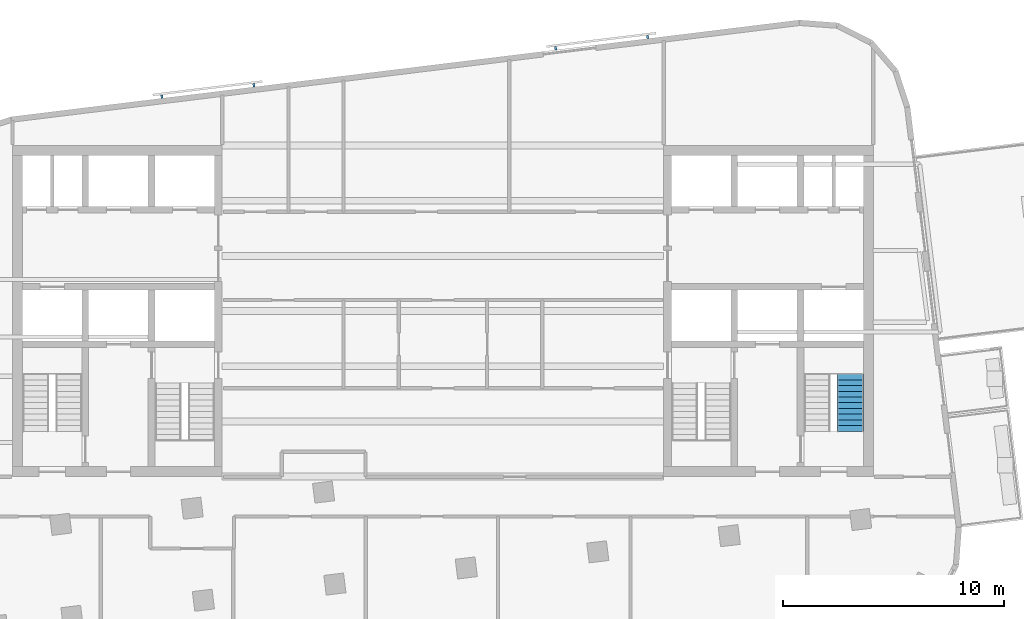
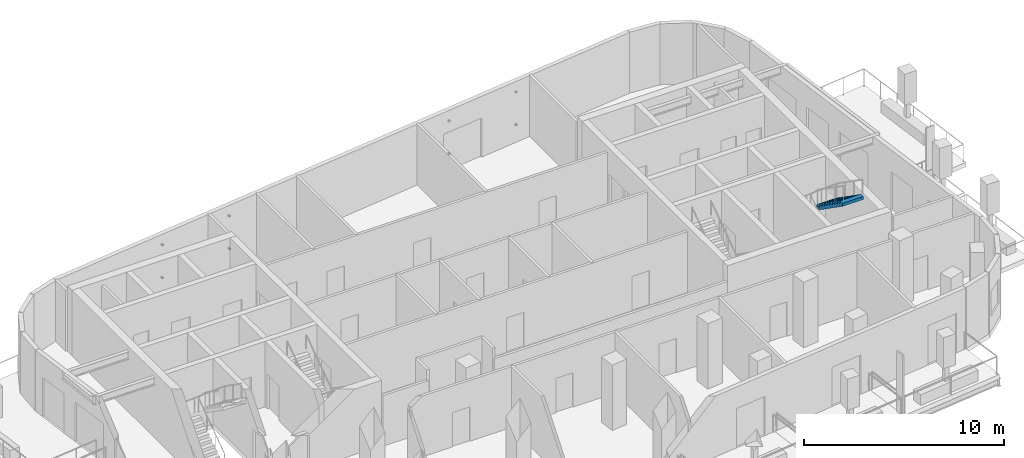
# One storey, part 7 of 10: 8 discrete accessories, 1 stair flight, 1 element without a shape of its own.
"""IFC4 building model written with IfcOpenShell, lengths in metres."""

from ifc_helpers import new_model, si_unit, direction, frame, origin, origin_2d, place, context, subcontext, project, spatial, polyline, rectangle, outline, extrude, material, type_object, element, aggregate, save


model = new_model("IFC4")

# Units and contexts
model_context = context("Model", 3, precision=1e-05, world=origin(), true_north=direction((0.0, 1.0)))
body_context = subcontext(model_context, "Body", "Model", "MODEL_VIEW")
ifc_project = project(units=[si_unit("LENGTHUNIT", "METRE"), si_unit("AREAUNIT", "SQUARE_METRE"), si_unit("VOLUMEUNIT", "CUBIC_METRE"), si_unit("PLANEANGLEUNIT", "RADIAN"), si_unit("MASSUNIT", "GRAM", prefix="KILO")], contexts=[model_context])

# Site, building, storey
site_placement = place(None, origin())
site = spatial("IfcSite", under=ifc_project, at=site_placement, CompositionType="ELEMENT")
building_placement = place(site_placement, origin())
building = spatial("IfcBuilding", under=site, at=building_placement, Name="Torana Hotel and Residences", CompositionType="ELEMENT")
storey_placement = place(building_placement, frame((0.0, 0.0, 334.60009765625)))
storey = spatial("IfcBuildingStorey", under=building, at=storey_placement, Name="L88", CompositionType="ELEMENT", Elevation=334.60009765625)

# Stair, stair flight
ifc_material_1 = material(Name="Concrete C40/50 precast", Category="concrete")
stair_type = type_object("IfcStairType", Name="STAIR ST4 HALF TURN 1200", PredefinedType="HALF_TURN_STAIR", material=ifc_material_1)
stair_placement = place(storey_placement, origin())
stair = element("IfcStair", 1, at=stair_placement, inside=storey, type_object=stair_type, Name="Stair ST4 L88", PredefinedType="HALF_TURN_STAIR")
ifc_material_2 = material(Name="Concrete C40/50 precast", Category="concrete")
stair_flight_type = type_object("IfcStairFlightType", Name="STAIR FLIGHT 1200 PRECAST", PredefinedType="STRAIGHT", material=ifc_material_2)
stair_flight_placement = place(storey_placement, frame((18.449951171875, -10.35009765625, 2.0), z_axis=(0.0, 0.0, 1.0), x_axis=(0.0, -1.0, 0.0)))
stair_flight = element("IfcStairFlight", 2, at=stair_flight_placement, type_object=stair_flight_type, Name="ST4 flight 2", NumberOfRisers=11, NumberOfTreads=10, PredefinedType="STRAIGHT", RiserHeight=0.181818182, TreadLength=0.26, context=body_context, shape_type="SweptSolid", body=[
    extrude(outline(polyline([(0.0, 0.0), (0.0, 0.181884765625), (0.260009765625, 0.181884765625), (0.260009765625, 0.363525390625), (0.52001953125, 0.363525390625), (0.52001953125, 0.54541015625), (0.780029296875, 0.54541015625), (0.780029296875, 0.727294921875), (1.0400390625, 0.727294921875), (1.0400390625, 0.9091796875), (1.300048828125, 0.9091796875), (1.300048828125, 1.0908203125), (1.56005859375, 1.0908203125), (1.56005859375, 1.272705078125), (1.820068359375, 1.272705078125), (1.820068359375, 1.45458984375), (2.080078125, 1.45458984375), (2.080078125, 1.636474609375), (2.340087890625, 1.636474609375), (2.340087890625, 1.818115234375), (2.60009765625, 1.818115234375), (2.60009765625, 2.0), (2.60009765625, 1.63525390625), (0.261474609375, 0.0), (0.0, 0.0)])), frame((0.0, 0.60009765625, 0.0), z_axis=(0.0, -1.0, 0.0), x_axis=(1.0, 0.0, 0.0)), (0.0, 0.0, 1.0), 1.199951171875),
])
aggregate(stair, [stair_flight])

# Discrete accessories
ifc_material_3 = material(Name="Steel S355", Category="steel")
discrete_accessory_type = type_object("IfcDiscreteAccessoryType", Name="SCREEN BRACKET 100", PredefinedType="BRACKET", material=ifc_material_3)
for number, where, z_axis, x_axis, name in (
    (3, (9.277587890625, 4.920654296875, 0.749755859375), (0.0, 0.0, 1.0), (-0.99254657704, -0.121865878765, 0.0), "Screen bracket L88"),
    (4, (9.277587890625, 4.920654296875, 2.749755859375), (0.0, 0.0, 1.0), (-0.99254657704, -0.121865878765, 0.0), "Screen bracket L88"),
    (5, (5.10888671875, 4.40869140625, 0.749755859375), (0.0, 0.0, 1.0), (-0.99254657704, -0.121865878765, 0.0), "Screen bracket L88"),
    (6, (5.10888671875, 4.40869140625, 2.749755859375), (0.0, 0.0, 1.0), (-0.99254657704, -0.121865878765, 0.0), "Screen bracket L88"),
    (7, (-8.563720703125, 2.72998046875, 0.749755859375), (0.0, 0.0, 1.0), (-0.99254657704, -0.121865878765, 0.0), "Screen bracket L88"),
    (8, (-8.563720703125, 2.72998046875, 2.749755859375), (0.0, 0.0, 1.0), (-0.99254657704, -0.121865878765, 0.0), "Screen bracket L88"),
    (9, (-12.732421875, 2.218017578125, 0.749755859375), (0.0, 0.0, 1.0), (-0.99254657704, -0.121865878765, 0.0), "Screen bracket L88"),
    (10, (-12.732421875, 2.218017578125, 2.749755859375), (0.0, 0.0, 1.0), (-0.99254657704, -0.121865878765, 0.0), "Screen bracket L88"),
):
    element("IfcDiscreteAccessory", number, at=place(storey_placement, frame(where, z_axis=z_axis, x_axis=x_axis)), inside=storey, type_object=discrete_accessory_type, Name=name, PredefinedType="BRACKET", context=body_context, shape_type="SweptSolid", body=[
        extrude(rectangle(XDim=0.10009765625, YDim=0.14990234375, at=origin_2d()), origin(), (0.0, 0.0, 1.0), 0.10009765625),
    ])

save(model, "model.ifc")
